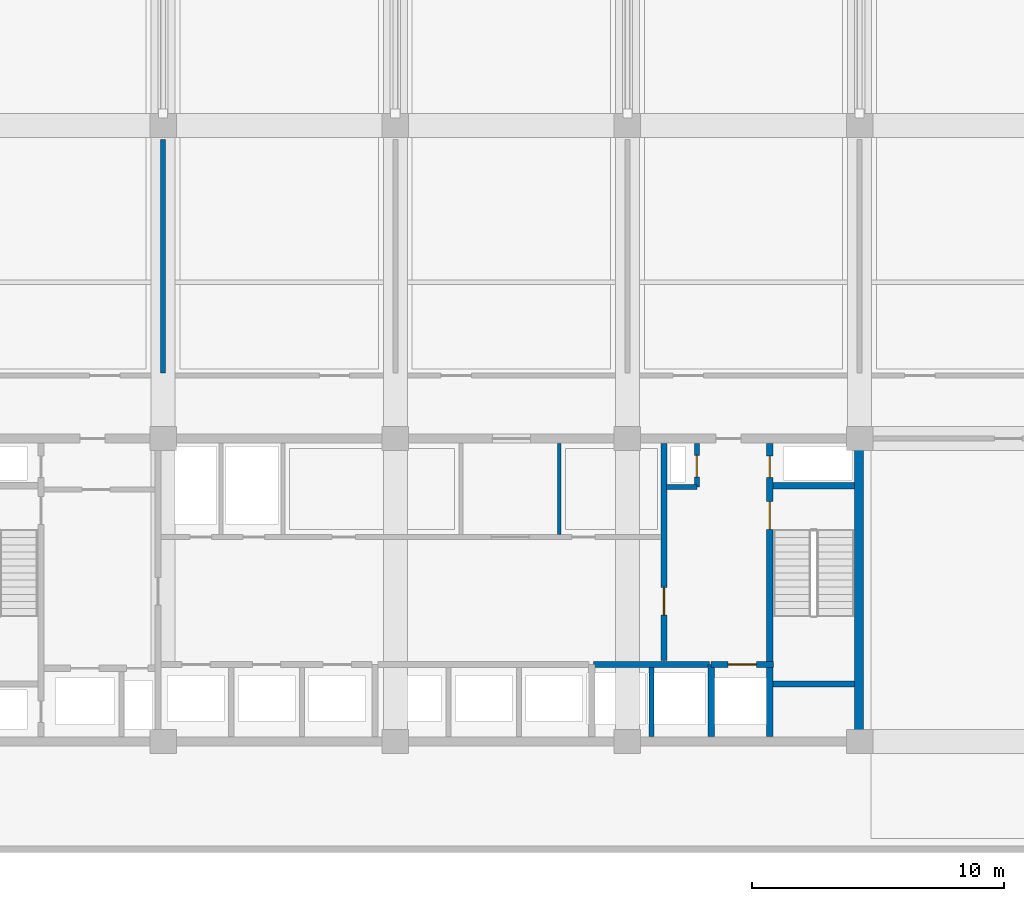
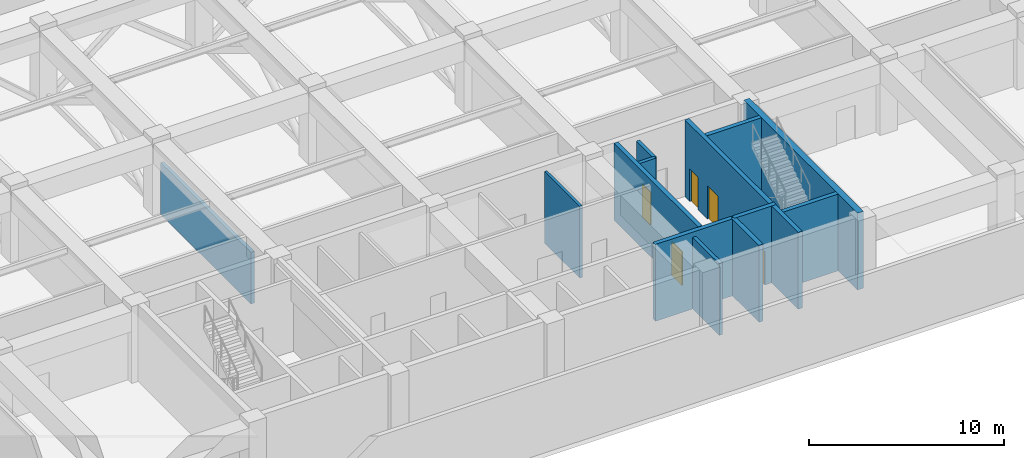
# One storey, part 12 of 21: 13 walls, 5 doors, 5 openings.
"""IFC4 building model written with IfcOpenShell, lengths in metres."""

import ifcopenshell
import ifcopenshell.guid

model = None  # the IFC model being written
_history = None  # IfcOwnerHistory: only IFC2X3 demands one
_inside = {}  # id of a spatial element -> (the spatial element, [elements in it])
_under = {}  # id of a project, library or spatial element -> (it, [spatial elements below it])
_declared = {}  # id of a project -> (the project, [libraries it declares])
_typed = {}  # id of a type object -> (the type object, [elements of that type])
_made_of = {}  # id of a material, layer set ... -> (it, [elements and type objects made of it])


def new_model(schema):
    """Start an empty IFC model of exactly this schema.

    Asked for "IFC4X3", IfcOpenShell would pick the latest addendum, in which some entities
    have other attributes; the version numbers below select the first issue.
    IFC2X3 requires an IfcOwnerHistory on every rooted entity: one is made here for all.
    """
    global model, _history
    if schema == "IFC4X3":
        model = ifcopenshell.file(schema_version=(4, 3, 0, 0))
    else:
        model = ifcopenshell.file(schema=schema)
    _inside.clear()
    _under.clear()
    _declared.clear()
    _typed.clear()
    _made_of.clear()
    _history = None
    if model.schema == "IFC2X3":
        org = make("IfcOrganization", Name="unknown")
        user = make(
            "IfcPersonAndOrganization",
            ThePerson=make("IfcPerson", FamilyName="unknown"),
            TheOrganization=org,
        )
        app = make(
            "IfcApplication",
            ApplicationDeveloper=org,
            Version="unknown",
            ApplicationFullName="unknown",
            ApplicationIdentifier="unknown",
        )
        _history = make(
            "IfcOwnerHistory",
            OwningUser=user,
            OwningApplication=app,
            ChangeAction="ADDED",
            CreationDate=0,
        )
    return model


def make(cls, **values):
    """One entity of the class cls with the attributes given. An attribute that is None is left unset."""
    return model.create_entity(
        cls, **{name: value for name, value in values.items() if value is not None}
    )


def rooted(cls, **values):
    """An entity with a GlobalId (a new one), such as an element, a storey or a relation."""
    return make(cls, GlobalId=ifcopenshell.guid.new(), OwnerHistory=_history, **values)


def si_unit(unit_type, name, prefix=None):
    """IfcSIUnit, for example si_unit("LENGTHUNIT", "METRE", prefix="MILLI")."""
    return make("IfcSIUnit", UnitType=unit_type, Prefix=prefix, Name=name)


def assignment(units):
    """IfcUnitAssignment: the units of a project."""
    return None if units is None else make("IfcUnitAssignment", Units=units)


def point(xyz):
    """IfcCartesianPoint."""
    return None if xyz is None else make("IfcCartesianPoint", Coordinates=xyz)


def direction(xyz):
    """IfcDirection."""
    return None if xyz is None else make("IfcDirection", DirectionRatios=xyz)


def frame(location, z_axis=None, x_axis=None):
    """IfcAxis2Placement3D, a coordinate frame: its origin and axes. An axis left out is left unset."""
    return make(
        "IfcAxis2Placement3D",
        Location=point(location),
        Axis=direction(z_axis),
        RefDirection=direction(x_axis),
    )


def frame_2d(location, x_axis=None):
    """IfcAxis2Placement2D, a coordinate frame in the plane: its origin and x axis."""
    return make(
        "IfcAxis2Placement2D", Location=point(location), RefDirection=direction(x_axis)
    )


def origin():
    """The frame at (0, 0, 0) with its axes left unset."""
    return frame((0.0, 0.0, 0.0))


def place(relative_to, where):
    """IfcLocalPlacement: puts the frame where relative to a parent placement (None: the world)."""
    return make(
        "IfcLocalPlacement", PlacementRelTo=relative_to, RelativePlacement=where
    )


def context(
    kind, dimensions, precision=None, world=None, true_north=None, identifier=None
):
    """IfcGeometricRepresentationContext, for example the 3D "Model" context."""
    return make(
        "IfcGeometricRepresentationContext",
        ContextIdentifier=identifier,
        ContextType=kind,
        CoordinateSpaceDimension=dimensions,
        Precision=precision,
        WorldCoordinateSystem=world,
        TrueNorth=true_north,
    )


def subcontext(parent, identifier, kind, view, scale=None):
    """IfcGeometricRepresentationSubContext, for example "Body" below "Model"."""
    return make(
        "IfcGeometricRepresentationSubContext",
        ContextIdentifier=identifier,
        ContextType=kind,
        ParentContext=parent,
        TargetScale=scale,
        TargetView=view,
    )


def project(units=None, contexts=None):
    """IfcProject with its units and contexts."""
    return rooted(
        "IfcProject",
        Name="project",
        RepresentationContexts=contexts,
        UnitsInContext=assignment(units),
    )


def spatial(cls, under=None, at=None, **own):
    """A site, building, storey or space (cls), placed at a placement, below another one or the project."""
    s = rooted(cls, ObjectPlacement=at, **own)
    if under is not None:
        _under.setdefault(under.id(), (under, []))[1].append(s)
    return s


def profile(cls, at=None, kind="AREA", **sizes):
    """A parametric profile (cls). Its sizes go by their IFC names, for example OverallWidth=200.0."""
    return make(cls, ProfileType=kind, Position=at, **sizes)


def rectangle(**sizes):
    """IfcRectangleProfileDef."""
    return profile("IfcRectangleProfileDef", **sizes)


def extrude(swept, where, along, depth):
    """IfcExtrudedAreaSolid: the profile swept, set in the frame where, extruded along a direction by depth."""
    return make(
        "IfcExtrudedAreaSolid",
        SweptArea=swept,
        Position=where,
        ExtrudedDirection=direction(along),
        Depth=depth,
    )


def shape(context_of_items, identifier, shape_type, items):
    """IfcShapeRepresentation: the items that make up one representation, for example the "Body"."""
    return make(
        "IfcShapeRepresentation",
        ContextOfItems=context_of_items,
        RepresentationIdentifier=identifier,
        RepresentationType=shape_type,
        Items=items,
    )


def material(Name=None, Category=None):
    """IfcMaterial."""
    return make("IfcMaterial", Name=Name, Category=Category)


def layer(
    of_material, thickness, ventilated=None, Name=None, Category=None, Priority=None
):
    """IfcMaterialLayer: one layer of a wall or slab, of a material (None: an air gap)."""
    return make(
        "IfcMaterialLayer",
        Material=of_material,
        LayerThickness=thickness,
        IsVentilated=ventilated,
        Name=Name,
        Category=Category,
        Priority=Priority,
    )


def layer_set(layers, Name=None):
    """IfcMaterialLayerSet."""
    return make("IfcMaterialLayerSet", MaterialLayers=layers, LayerSetName=Name)


def made_of(thing, what):
    """Note that an element or type object is made of a material, layer set ...; save() writes the relation."""
    if what is not None:
        _made_of.setdefault(what.id(), (what, []))[1].append(thing)
    return thing


def type_object(cls, material=None, **own):
    """A type object (cls), such as IfcWallType, which elements share."""
    return made_of(rooted(cls, **own), material)


def element(
    cls,
    number,
    at=None,
    inside=None,
    cuts=None,
    type_object=None,
    material=None,
    context=None,
    identifier="Body",
    shape_type=None,
    held_by="IfcProductDefinitionShape",
    body=None,
    shapes=None,
    **own,
):
    """One element of the class cls, such as IfcWall. Its Tag is "e" and its number.

    at: its placement. inside: the storey or other place that contains it. cuts: it is an
    opening in that element (IfcRelVoidsElement). A single representation is given by context,
    identifier, shape_type and body (its items); several are given by shapes. held_by: the class
    of the entity that holds the representations. save() writes the other relations.
    """
    e = rooted(cls, Tag="e%d" % number, ObjectPlacement=at, **own)
    if body is not None:
        shapes = [shape(context, identifier, shape_type, body)]
    if shapes is not None:
        e.Representation = make(held_by, Representations=shapes)
    if inside is not None:
        _inside.setdefault(inside.id(), (inside, []))[1].append(e)
    if cuts is not None:
        rooted(
            "IfcRelVoidsElement", RelatingBuildingElement=cuts, RelatedOpeningElement=e
        )
    if type_object is not None:
        _typed.setdefault(type_object.id(), (type_object, []))[1].append(e)
    return made_of(e, material)


def fill(opening, filler):
    """IfcRelFillsElement: the door or window that sits in an opening."""
    return rooted(
        "IfcRelFillsElement",
        RelatingOpeningElement=opening,
        RelatedBuildingElement=filler,
    )


def aggregate(whole, parts):
    """IfcRelAggregates: a whole, such as a stair, and the parts it consists of."""
    return rooted("IfcRelAggregates", RelatingObject=whole, RelatedObjects=parts)


def save(model, path):
    """Write the relations noted so far, then the file.

    IfcRelAggregates (storeys below a building ...), IfcRelContainedInSpatialStructure (elements
    in a storey), IfcRelDefinesByType, IfcRelAssociatesMaterial and IfcRelDeclares: one each for
    every whole, place, type object, material and project.
    """
    for whole, parts in _under.values():
        aggregate(whole, parts)
    for where, things in _inside.values():
        rooted(
            "IfcRelContainedInSpatialStructure",
            RelatedElements=things,
            RelatingStructure=where,
        )
    for kind, things in _typed.values():
        rooted("IfcRelDefinesByType", RelatedObjects=things, RelatingType=kind)
    for what, things in _made_of.values():
        rooted("IfcRelAssociatesMaterial", RelatedObjects=things, RelatingMaterial=what)
    for by, libraries in _declared.values():
        rooted("IfcRelDeclares", RelatingContext=by, RelatedDefinitions=libraries)
    model.write(path)


model = new_model("IFC4")

# Units and contexts
model_context = context("Model", 3, precision=1e-05, world=origin(), true_north=direction((0.0, 1.0)))
body_context = subcontext(model_context, "Body", "Model", "MODEL_VIEW")
ifc_project = project(units=[si_unit("LENGTHUNIT", "METRE"), si_unit("AREAUNIT", "SQUARE_METRE"), si_unit("VOLUMEUNIT", "CUBIC_METRE"), si_unit("PLANEANGLEUNIT", "RADIAN"), si_unit("MASSUNIT", "GRAM", prefix="KILO")], contexts=[model_context])

# Site, building, storey
site_placement = place(None, origin())
site = spatial("IfcSite", under=ifc_project, at=site_placement, CompositionType="ELEMENT")
building_placement = place(site_placement, origin())
building = spatial("IfcBuilding", under=site, at=building_placement, Name="Korimba Cascade Residences", CompositionType="ELEMENT")
storey_placement = place(building_placement, frame((0.0, 0.0, 76.0)))
storey = spatial("IfcBuildingStorey", under=building, at=storey_placement, Name="L21", CompositionType="ELEMENT", Elevation=76.0)

# Walls
ifc_material_1 = material(Name="Concrete C65/80", Category="concrete")
ifc_layer_1 = layer(ifc_material_1, 0.35009765625)
ifc_layer_set_1 = layer_set([ifc_layer_1], Name="Concrete C65/80")
wall_type_1 = type_object("IfcWallType", Name="WAL-CORE-350", PredefinedType="SHEAR", material=ifc_layer_set_1)
wall_1_placement = place(storey_placement, frame((112.074951171875, 55.375, 0.0), z_axis=(0.0, 0.0, 1.0), x_axis=(0.0, 1.0, 0.0)))
element("IfcWall", 1, at=wall_1_placement, inside=storey, type_object=wall_type_1, Name="L21 Core Shear Wall CW-L21-T1-E", PredefinedType="SHEAR", context=body_context, shape_type="SweptSolid", body=[
    extrude(rectangle(XDim=11.64990234375, YDim=0.35009765625, at=frame_2d((5.824951171875, 0.0))), origin(), (0.0, 0.0, 1.0), 4.800048828125),
])
ifc_material_2 = material(Name="Insulated Acoustic Stud Partition", Category="gypsum")
ifc_layer_2 = layer(ifc_material_2, 0.14990234375)
ifc_layer_set_2 = layer_set([ifc_layer_2], Name="Insulated Acoustic Stud Partition")
wall_type_2 = type_object("IfcWallType", Name="WAL-PART-150", PredefinedType="PARTITIONING", material=ifc_layer_set_2)
wall_2_placement = place(storey_placement, frame((100.199951171875, 63.39990234375, 0.0), z_axis=(0.0, 0.0, 1.0), x_axis=(0.0, 1.0, 0.0)))
element("IfcWall", 2, at=wall_2_placement, inside=storey, type_object=wall_type_2, Name="L21 Partition Wall CW-L21-T1-THE", PredefinedType="PARTITIONING", context=body_context, shape_type="SweptSolid", body=[
    extrude(rectangle(XDim=3.60009765625, YDim=0.14990234375, at=frame_2d((1.800048828125, 0.0))), origin(), (0.0, 0.0, 1.0), 4.47998046875),
])
ifc_material_3 = material(Name="Concrete C40/50", Category="concrete")
ifc_layer_3 = layer(ifc_material_3, 0.199951171875)
ifc_layer_set_3 = layer_set([ifc_layer_3], Name="Concrete C40/50")
wall_type_3 = type_object("IfcWallType", Name="WAL-PART-200", PredefinedType="PARTITIONING", material=ifc_layer_set_3)
wall_3_placement = place(storey_placement, frame((103.85009765625, 55.39990234375, 0.0), z_axis=(0.0, 0.0, 1.0), x_axis=(0.0, 1.0, 0.0)))
element("IfcWall", 3, at=wall_3_placement, inside=storey, type_object=wall_type_3, Name="L21 Partition Wall CW-L21-T1-B3D1", PredefinedType="PARTITIONING", context=body_context, shape_type="SweptSolid", body=[
    extrude(rectangle(XDim=2.72021484375, YDim=0.199951171875, at=frame_2d((1.360107421875, 0.0))), origin(), (0.0, 0.0, 1.0), 4.47998046875),
])
wall_4_placement = place(storey_placement, frame((104.449951171875, 65.280029296875, 0.0), z_axis=(0.0, 0.0, 1.0), x_axis=(1.0, 0.0, 0.0)))
element("IfcWall", 4, at=wall_4_placement, inside=storey, type_object=wall_type_3, Name="L21 Partition Wall CW-L21-T1-HYDW2S", PredefinedType="PARTITIONING", context=body_context, shape_type="SweptSolid", body=[
    extrude(rectangle(XDim=1.199951171875, YDim=0.199951171875, at=frame_2d((0.60009765625, 0.0))), origin(), (0.0, 0.0, 1.0), 4.47998046875),
])

# Wall, opening, door
wall_5_placement = place(storey_placement, frame((105.64990234375, 65.280029296875, 0.0), z_axis=(0.0, 0.0, 1.0), x_axis=(0.0, 1.0, 0.0)))
wall_5 = element("IfcWall", 5, at=wall_5_placement, inside=storey, type_object=wall_type_3, Name="L21 Partition Wall CW-L21-T1-HYDW2E", PredefinedType="PARTITIONING", context=body_context, shape_type="SweptSolid", body=[
    extrude(rectangle(XDim=1.719970703125, YDim=0.199951171875, at=frame_2d((0.85986328125, 0.0))), origin(), (0.0, 0.0, 1.0), 4.47998046875),
])
opening_1_placement = place(wall_5_placement, frame((0.39990234375, 0.0, 0.0)))
opening_1 = element("IfcOpeningElement", 6, at=opening_1_placement, cuts=wall_5, Name="Opening D-RS1", PredefinedType="OPENING", context=body_context, shape_type="SweptSolid", body=[
    extrude(rectangle(XDim=0.85009765625, YDim=2.050048828125, at=frame_2d((0.425048828125, 1.02490234375))), frame((0.0, 0.10986328125, 0.0), z_axis=(0.0, -1.0, 0.0), x_axis=(1.0, 0.0, 0.0)), (0.0, 0.0, 1.0), 0.219970703125),
])
ifc_material_4 = material(Name="Fire-Rated Steel Riser Access Door", Category="steel")
door_type_1 = type_object("IfcDoorType", Name="DR-FD60-850", OperationType="NOTDEFINED", PredefinedType="DOOR", material=ifc_material_4)
door_1_placement = place(opening_1_placement, origin())
door_1 = element("IfcDoor", 7, at=door_1_placement, inside=storey, type_object=door_type_1, Name="L21 East Hydrant Door", OperationType="SINGLE_SWING_RIGHT", OverallHeight=2.050048828125, OverallWidth=0.85009765625, PredefinedType="DOOR", context=body_context, shape_type="SweptSolid", body=[
    extrude(rectangle(XDim=0.85009765625, YDim=2.050048828125, at=frame_2d((0.425048828125, 1.02490234375))), frame((0.0, 0.02490234375, 0.0), z_axis=(0.0, -1.0, 0.0), x_axis=(1.0, 0.0, 0.0)), (0.0, 0.0, 1.0), 0.050048828125),
])
fill(opening_1, door_1)

# Walls
wall_6_placement = place(storey_placement, frame((84.5, 69.800048828125, 0.0), z_axis=(0.0, 0.0, 1.0), x_axis=(0.0, 1.0, 0.0)))
element("IfcWall", 8, at=wall_6_placement, inside=storey, type_object=wall_type_3, Name="L21 Partition Wall WAL-L21-T1-PD3", PredefinedType="PARTITIONING", context=body_context, shape_type="SweptSolid", body=[
    extrude(rectangle(XDim=9.25, YDim=0.199951171875, at=frame_2d((4.625, 0.0))), origin(), (0.0, 0.0, 1.0), 3.22998046875),
])
ifc_material_5 = material(Name="Concrete C50/60", Category="concrete")
ifc_layer_4 = layer(ifc_material_5, 0.25)
ifc_layer_set_4 = layer_set([ifc_layer_4], Name="Concrete C50/60")
wall_type_4 = type_object("IfcWallType", Name="WAL-SHAFT-250", PredefinedType="SHEAR", material=ifc_layer_set_4)
wall_7_placement = place(storey_placement, frame((101.550048828125, 58.25, 0.0), z_axis=(0.0, 0.0, 1.0), x_axis=(1.0, 0.0, 0.0)))
element("IfcWall", 9, at=wall_7_placement, inside=storey, type_object=wall_type_4, Name="L21 Core Shear Wall CW-L21-T1-B3N", PredefinedType="SHEAR", context=body_context, shape_type="SweptSolid", body=[
    extrude(rectangle(XDim=4.599853515625, YDim=0.25, at=frame_2d((2.2998046875, 0.0))), origin(), (0.0, 0.0, 1.0), 4.800048828125),
])
wall_8_placement = place(storey_placement, frame((106.219970703125, 55.39990234375, 0.0), z_axis=(0.0, 0.0, 1.0), x_axis=(0.0, 1.0, 0.0)))
element("IfcWall", 10, at=wall_8_placement, inside=storey, type_object=wall_type_4, Name="L21 Core Shear Wall CW-L21-T1-FF2W", PredefinedType="SHEAR", context=body_context, shape_type="SweptSolid", body=[
    extrude(rectangle(XDim=2.85009765625, YDim=0.25, at=frame_2d((1.425048828125, 0.0))), origin(), (0.0, 0.0, 1.0), 4.800048828125),
])

# Wall, opening, door
wall_9_placement = place(storey_placement, frame((106.219970703125, 58.25, 0.0), z_axis=(0.0, 0.0, 1.0), x_axis=(1.0, 0.0, 0.0)))
wall_9 = element("IfcWall", 11, at=wall_9_placement, inside=storey, type_object=wall_type_4, Name="L21 Core Shear Wall CW-L21-T1-FF2N", PredefinedType="SHEAR", context=body_context, shape_type="SweptSolid", body=[
    extrude(rectangle(XDim=2.4599609375, YDim=0.25, at=frame_2d((1.22998046875, 0.0))), origin(), (0.0, 0.0, 1.0), 4.800048828125),
])
opening_2_placement = place(wall_9_placement, frame((0.669921875, 0.0, 0.0)))
opening_2 = element("IfcOpeningElement", 12, at=opening_2_placement, cuts=wall_9, Name="Opening LD-01", PredefinedType="OPENING", context=body_context, shape_type="SweptSolid", body=[
    extrude(rectangle(XDim=1.1201171875, YDim=2.1201171875, at=frame_2d((0.56005859375, 1.06005859375))), frame((0.0, 0.135009765625, 0.0), z_axis=(0.0, -1.0, 0.0), x_axis=(1.0, 0.0, 0.0)), (0.0, 0.0, 1.0), 0.27001953125),
])
ifc_material_6 = material(Name="Stainless Steel Lift Landing Sliding Door", Category="steel")
door_type_2 = type_object("IfcDoorType", Name="DR-LIFT-1100", OperationType="NOTDEFINED", PredefinedType="DOOR", material=ifc_material_6)
door_2_placement = place(opening_2_placement, origin())
door_2 = element("IfcDoor", 13, at=door_2_placement, inside=storey, type_object=door_type_2, Name="L21 Firefighting Lift Landing Door FFL-W2", OperationType="SLIDING_TO_RIGHT", OverallHeight=2.1201171875, OverallWidth=1.1201171875, PredefinedType="DOOR", context=body_context, shape_type="SweptSolid", body=[
    extrude(rectangle(XDim=1.1201171875, YDim=2.1201171875, at=frame_2d((0.56005859375, 1.06005859375))), frame((0.0, 0.02490234375, 0.0), z_axis=(0.0, -1.0, 0.0), x_axis=(1.0, 0.0, 0.0)), (0.0, 0.0, 1.0), 0.050048828125),
])
fill(opening_2, door_2)

wall_10_placement = place(storey_placement, frame((104.35009765625, 58.39990234375, 0.0), z_axis=(0.0, 0.0, 1.0), x_axis=(0.0, 1.0, 0.0)))
wall_10 = element("IfcWall", 14, at=wall_10_placement, inside=storey, type_object=wall_type_4, Name="L21 Core Shear Wall CW-L21-T1-LLEV", PredefinedType="SHEAR", context=body_context, shape_type="SweptSolid", body=[
    extrude(rectangle(XDim=8.60009765625, YDim=0.25, at=frame_2d((4.300048828125, 0.0))), origin(), (0.0, 0.0, 1.0), 4.800048828125),
])
opening_3_placement = place(wall_10_placement, frame((1.800048828125, 0.0, 0.0)))
opening_3 = element("IfcOpeningElement", 15, at=opening_3_placement, cuts=wall_10, Name="Opening D-FD1", PredefinedType="OPENING", context=body_context, shape_type="SweptSolid", body=[
    extrude(rectangle(XDim=1.10009765625, YDim=2.10009765625, at=frame_2d((0.550048828125, 1.050048828125))), frame((0.0, 0.135009765625, 0.0), z_axis=(0.0, -1.0, 0.0), x_axis=(1.0, 0.0, 0.0)), (0.0, 0.0, 1.0), 0.27001953125),
])
ifc_material_7 = material(Name="Fire-Rated Steel Core Door", Category="steel")
door_type_3 = type_object("IfcDoorType", Name="DR-FD120-1100", OperationType="NOTDEFINED", PredefinedType="DOOR", material=ifc_material_7)
door_3_placement = place(opening_3_placement, origin())
door_3 = element("IfcDoor", 16, at=door_3_placement, inside=storey, type_object=door_type_3, Name="L21 Lift Lobby to East Firefighting Lobby Door", OperationType="SINGLE_SWING_LEFT", OverallHeight=2.10009765625, OverallWidth=1.10009765625, PredefinedType="DOOR", context=body_context, shape_type="SweptSolid", body=[
    extrude(rectangle(XDim=1.10009765625, YDim=2.10009765625, at=frame_2d((0.550048828125, 1.050048828125))), frame((0.0, 0.02490234375, 0.0), z_axis=(0.0, -1.0, 0.0), x_axis=(1.0, 0.0, 0.0)), (0.0, 0.0, 1.0), 0.050048828125),
])
fill(opening_3, door_3)

# Wall, openings, doors
wall_11_placement = place(storey_placement, frame((108.534912109375, 55.39990234375, 0.0), z_axis=(0.0, 0.0, 1.0), x_axis=(0.0, 1.0, 0.0)))
wall_11 = element("IfcWall", 17, at=wall_11_placement, inside=storey, type_object=wall_type_4, Name="L21 Core Shear Wall CW-L21-T1-STW2W", PredefinedType="SHEAR", context=body_context, shape_type="SweptSolid", body=[
    extrude(rectangle(XDim=11.60009765625, YDim=0.25, at=frame_2d((5.800048828125, 0.0))), origin(), (0.0, 0.0, 1.0), 4.800048828125),
])
opening_4_placement = place(wall_11_placement, frame((8.199951171875, 0.0, 0.0)))
opening_4 = element("IfcOpeningElement", 18, at=opening_4_placement, cuts=wall_11, Name="Opening D-FD1", PredefinedType="OPENING", context=body_context, shape_type="SweptSolid", body=[
    extrude(rectangle(XDim=1.10009765625, YDim=2.10009765625, at=frame_2d((0.550048828125, 1.050048828125))), frame((0.0, 0.135009765625, 0.0), z_axis=(0.0, -1.0, 0.0), x_axis=(1.0, 0.0, 0.0)), (0.0, 0.0, 1.0), 0.27001953125),
])
opening_5_placement = place(wall_11_placement, frame((10.25, 0.0, 0.0)))
opening_5 = element("IfcOpeningElement", 19, at=opening_5_placement, cuts=wall_11, Name="Opening D-RS1", PredefinedType="OPENING", context=body_context, shape_type="SweptSolid", body=[
    extrude(rectangle(XDim=0.85009765625, YDim=2.050048828125, at=frame_2d((0.425048828125, 1.02490234375))), frame((0.0, 0.135009765625, 0.0), z_axis=(0.0, -1.0, 0.0), x_axis=(1.0, 0.0, 0.0)), (0.0, 0.0, 1.0), 0.27001953125),
])
door_4_placement = place(opening_4_placement, origin())
door_4 = element("IfcDoor", 20, at=door_4_placement, inside=storey, type_object=door_type_3, Name="L21 Fire Stair ST-W2 Door", OperationType="SINGLE_SWING_RIGHT", OverallHeight=2.10009765625, OverallWidth=1.10009765625, PredefinedType="DOOR", context=body_context, shape_type="SweptSolid", body=[
    extrude(rectangle(XDim=1.10009765625, YDim=2.10009765625, at=frame_2d((0.550048828125, 1.050048828125))), frame((0.0, 0.02490234375, 0.0), z_axis=(0.0, -1.0, 0.0), x_axis=(1.0, 0.0, 0.0)), (0.0, 0.0, 1.0), 0.050048828125),
])
fill(opening_4, door_4)
door_5_placement = place(opening_5_placement, origin())
door_5 = element("IfcDoor", 21, at=door_5_placement, inside=storey, type_object=door_type_1, Name="L21 East Riser Door", OperationType="SINGLE_SWING_LEFT", OverallHeight=2.050048828125, OverallWidth=0.85009765625, PredefinedType="DOOR", context=body_context, shape_type="SweptSolid", body=[
    extrude(rectangle(XDim=0.85009765625, YDim=2.050048828125, at=frame_2d((0.425048828125, 1.02490234375))), frame((0.0, 0.02490234375, 0.0), z_axis=(0.0, -1.0, 0.0), x_axis=(1.0, 0.0, 0.0)), (0.0, 0.0, 1.0), 0.050048828125),
])
fill(opening_5, door_5)

# Walls
for number, where, z_axis, x_axis, name in (
    (22, (108.659912109375, 57.47509765625, 0.0), (0.0, 0.0, 1.0), (1.0, 0.0, 0.0), "L21 Core Shear Wall CW-L21-T1-STW2S"),
    (23, (108.659912109375, 65.324951171875, 0.0), (0.0, 0.0, 1.0), (1.0, 0.0, 0.0), "L21 Core Shear Wall CW-L21-T1-STW2N"),
):
    element("IfcWall", number, at=place(storey_placement, frame(where, z_axis=z_axis, x_axis=x_axis)), inside=storey, type_object=wall_type_4, Name=name, PredefinedType="SHEAR", context=body_context, shape_type="SweptSolid", body=[
        extrude(rectangle(XDim=3.239990234375, YDim=0.25, at=frame_2d((1.6201171875, 0.0))), origin(), (0.0, 0.0, 1.0), 4.800048828125),
    ])

save(model, "model.ifc")
